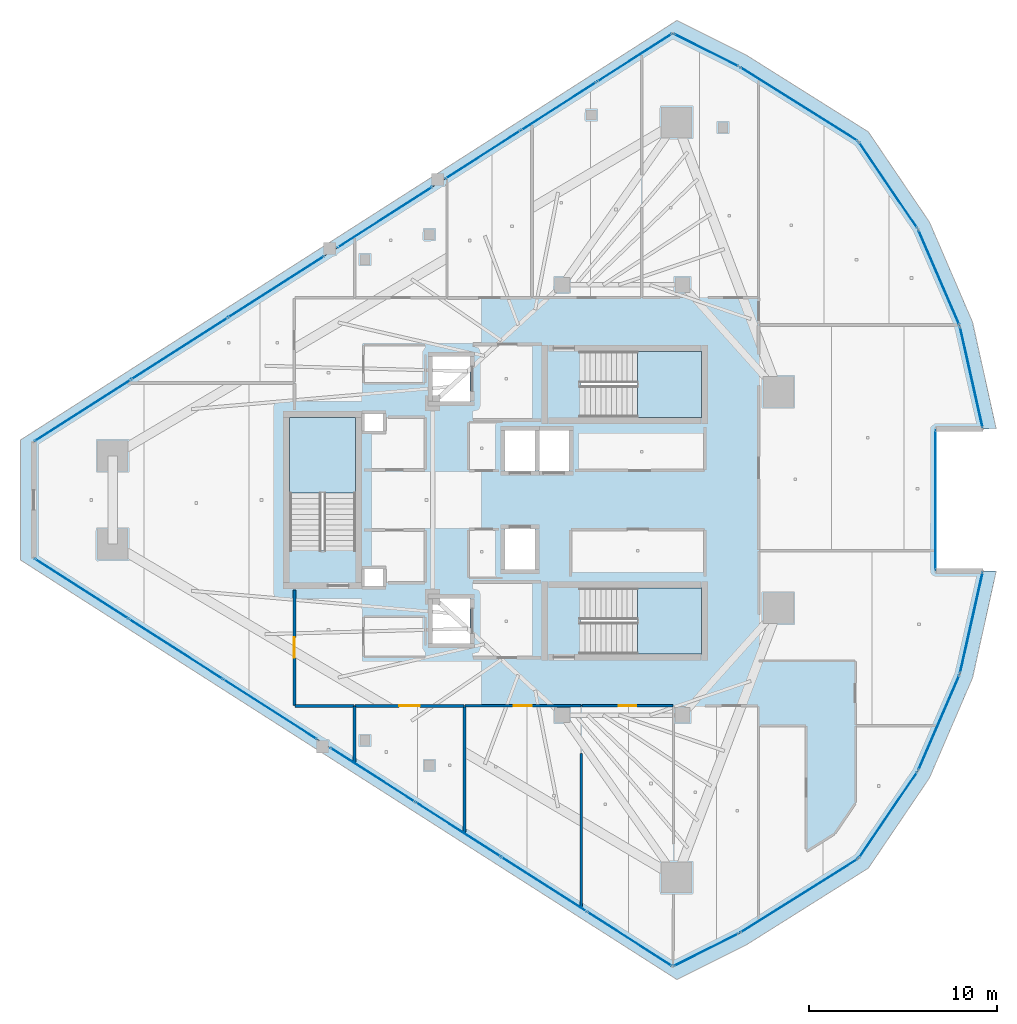
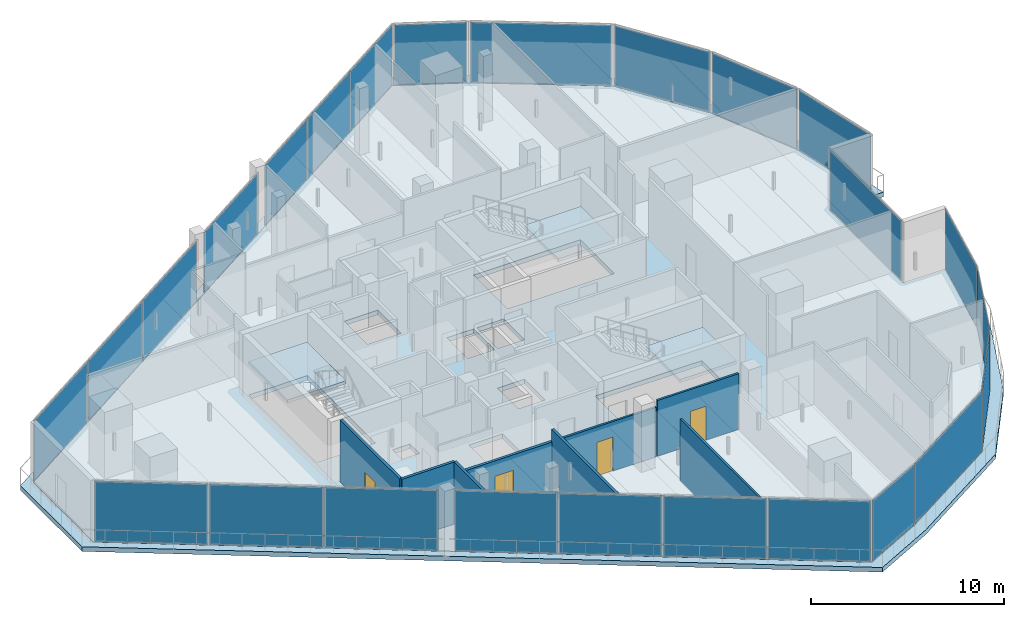
# One storey, part 22 of 33: 25 plates, 8 walls, 5 slabs, 4 doors, 4 openings, 19 elements without a shape of their own.
"""IFC4 building model written with IfcOpenShell, lengths in metres."""

import ifcopenshell
import ifcopenshell.guid

model = None  # the IFC model being written
_history = None  # IfcOwnerHistory: only IFC2X3 demands one
_inside = {}  # id of a spatial element -> (the spatial element, [elements in it])
_under = {}  # id of a project, library or spatial element -> (it, [spatial elements below it])
_declared = {}  # id of a project -> (the project, [libraries it declares])
_typed = {}  # id of a type object -> (the type object, [elements of that type])
_made_of = {}  # id of a material, layer set ... -> (it, [elements and type objects made of it])


def new_model(schema):
    """Start an empty IFC model of exactly this schema.

    Asked for "IFC4X3", IfcOpenShell would pick the latest addendum, in which some entities
    have other attributes; the version numbers below select the first issue.
    IFC2X3 requires an IfcOwnerHistory on every rooted entity: one is made here for all.
    """
    global model, _history
    if schema == "IFC4X3":
        model = ifcopenshell.file(schema_version=(4, 3, 0, 0))
    else:
        model = ifcopenshell.file(schema=schema)
    _inside.clear()
    _under.clear()
    _declared.clear()
    _typed.clear()
    _made_of.clear()
    _history = None
    if model.schema == "IFC2X3":
        org = make("IfcOrganization", Name="unknown")
        user = make(
            "IfcPersonAndOrganization",
            ThePerson=make("IfcPerson", FamilyName="unknown"),
            TheOrganization=org,
        )
        app = make(
            "IfcApplication",
            ApplicationDeveloper=org,
            Version="unknown",
            ApplicationFullName="unknown",
            ApplicationIdentifier="unknown",
        )
        _history = make(
            "IfcOwnerHistory",
            OwningUser=user,
            OwningApplication=app,
            ChangeAction="ADDED",
            CreationDate=0,
        )
    return model


def make(cls, **values):
    """One entity of the class cls with the attributes given. An attribute that is None is left unset."""
    return model.create_entity(
        cls, **{name: value for name, value in values.items() if value is not None}
    )


def rooted(cls, **values):
    """An entity with a GlobalId (a new one), such as an element, a storey or a relation."""
    return make(cls, GlobalId=ifcopenshell.guid.new(), OwnerHistory=_history, **values)


def si_unit(unit_type, name, prefix=None):
    """IfcSIUnit, for example si_unit("LENGTHUNIT", "METRE", prefix="MILLI")."""
    return make("IfcSIUnit", UnitType=unit_type, Prefix=prefix, Name=name)


def assignment(units):
    """IfcUnitAssignment: the units of a project."""
    return None if units is None else make("IfcUnitAssignment", Units=units)


def point(xyz):
    """IfcCartesianPoint."""
    return None if xyz is None else make("IfcCartesianPoint", Coordinates=xyz)


def direction(xyz):
    """IfcDirection."""
    return None if xyz is None else make("IfcDirection", DirectionRatios=xyz)


def frame(location, z_axis=None, x_axis=None):
    """IfcAxis2Placement3D, a coordinate frame: its origin and axes. An axis left out is left unset."""
    return make(
        "IfcAxis2Placement3D",
        Location=point(location),
        Axis=direction(z_axis),
        RefDirection=direction(x_axis),
    )


def frame_2d(location, x_axis=None):
    """IfcAxis2Placement2D, a coordinate frame in the plane: its origin and x axis."""
    return make(
        "IfcAxis2Placement2D", Location=point(location), RefDirection=direction(x_axis)
    )


def origin():
    """The frame at (0, 0, 0) with its axes left unset."""
    return frame((0.0, 0.0, 0.0))


def origin_2d():
    """The frame at (0, 0) in the plane with its x axis left unset."""
    return frame_2d((0.0, 0.0))


def place(relative_to, where):
    """IfcLocalPlacement: puts the frame where relative to a parent placement (None: the world)."""
    return make(
        "IfcLocalPlacement", PlacementRelTo=relative_to, RelativePlacement=where
    )


def context(
    kind, dimensions, precision=None, world=None, true_north=None, identifier=None
):
    """IfcGeometricRepresentationContext, for example the 3D "Model" context."""
    return make(
        "IfcGeometricRepresentationContext",
        ContextIdentifier=identifier,
        ContextType=kind,
        CoordinateSpaceDimension=dimensions,
        Precision=precision,
        WorldCoordinateSystem=world,
        TrueNorth=true_north,
    )


def subcontext(parent, identifier, kind, view, scale=None):
    """IfcGeometricRepresentationSubContext, for example "Body" below "Model"."""
    return make(
        "IfcGeometricRepresentationSubContext",
        ContextIdentifier=identifier,
        ContextType=kind,
        ParentContext=parent,
        TargetScale=scale,
        TargetView=view,
    )


def project(units=None, contexts=None):
    """IfcProject with its units and contexts."""
    return rooted(
        "IfcProject",
        Name="project",
        RepresentationContexts=contexts,
        UnitsInContext=assignment(units),
    )


def spatial(cls, under=None, at=None, **own):
    """A site, building, storey or space (cls), placed at a placement, below another one or the project."""
    s = rooted(cls, ObjectPlacement=at, **own)
    if under is not None:
        _under.setdefault(under.id(), (under, []))[1].append(s)
    return s


def polyline(points):
    """IfcPolyline through the points."""
    return make("IfcPolyline", Points=[point(p) for p in points])


def profile(cls, at=None, kind="AREA", **sizes):
    """A parametric profile (cls). Its sizes go by their IFC names, for example OverallWidth=200.0."""
    return make(cls, ProfileType=kind, Position=at, **sizes)


def rectangle(**sizes):
    """IfcRectangleProfileDef."""
    return profile("IfcRectangleProfileDef", **sizes)


def outline(outer, holes=None, kind="AREA"):
    """IfcArbitraryClosedProfileDef: a profile drawn as a closed curve; with holes, ...WithVoids."""
    if holes is None:
        return make("IfcArbitraryClosedProfileDef", ProfileType=kind, OuterCurve=outer)
    return make(
        "IfcArbitraryProfileDefWithVoids",
        ProfileType=kind,
        OuterCurve=outer,
        InnerCurves=holes,
    )


def extrude(swept, where, along, depth):
    """IfcExtrudedAreaSolid: the profile swept, set in the frame where, extruded along a direction by depth."""
    return make(
        "IfcExtrudedAreaSolid",
        SweptArea=swept,
        Position=where,
        ExtrudedDirection=direction(along),
        Depth=depth,
    )


def shape(context_of_items, identifier, shape_type, items):
    """IfcShapeRepresentation: the items that make up one representation, for example the "Body"."""
    return make(
        "IfcShapeRepresentation",
        ContextOfItems=context_of_items,
        RepresentationIdentifier=identifier,
        RepresentationType=shape_type,
        Items=items,
    )


def material(Name=None, Category=None):
    """IfcMaterial."""
    return make("IfcMaterial", Name=Name, Category=Category)


def layer(
    of_material, thickness, ventilated=None, Name=None, Category=None, Priority=None
):
    """IfcMaterialLayer: one layer of a wall or slab, of a material (None: an air gap)."""
    return make(
        "IfcMaterialLayer",
        Material=of_material,
        LayerThickness=thickness,
        IsVentilated=ventilated,
        Name=Name,
        Category=Category,
        Priority=Priority,
    )


def layer_set(layers, Name=None):
    """IfcMaterialLayerSet."""
    return make("IfcMaterialLayerSet", MaterialLayers=layers, LayerSetName=Name)


def made_of(thing, what):
    """Note that an element or type object is made of a material, layer set ...; save() writes the relation."""
    if what is not None:
        _made_of.setdefault(what.id(), (what, []))[1].append(thing)
    return thing


def type_object(cls, material=None, **own):
    """A type object (cls), such as IfcWallType, which elements share."""
    return made_of(rooted(cls, **own), material)


def element(
    cls,
    number,
    at=None,
    inside=None,
    cuts=None,
    type_object=None,
    material=None,
    context=None,
    identifier="Body",
    shape_type=None,
    held_by="IfcProductDefinitionShape",
    body=None,
    shapes=None,
    **own,
):
    """One element of the class cls, such as IfcWall. Its Tag is "e" and its number.

    at: its placement. inside: the storey or other place that contains it. cuts: it is an
    opening in that element (IfcRelVoidsElement). A single representation is given by context,
    identifier, shape_type and body (its items); several are given by shapes. held_by: the class
    of the entity that holds the representations. save() writes the other relations.
    """
    e = rooted(cls, Tag="e%d" % number, ObjectPlacement=at, **own)
    if body is not None:
        shapes = [shape(context, identifier, shape_type, body)]
    if shapes is not None:
        e.Representation = make(held_by, Representations=shapes)
    if inside is not None:
        _inside.setdefault(inside.id(), (inside, []))[1].append(e)
    if cuts is not None:
        rooted(
            "IfcRelVoidsElement", RelatingBuildingElement=cuts, RelatedOpeningElement=e
        )
    if type_object is not None:
        _typed.setdefault(type_object.id(), (type_object, []))[1].append(e)
    return made_of(e, material)


def fill(opening, filler):
    """IfcRelFillsElement: the door or window that sits in an opening."""
    return rooted(
        "IfcRelFillsElement",
        RelatingOpeningElement=opening,
        RelatedBuildingElement=filler,
    )


def aggregate(whole, parts):
    """IfcRelAggregates: a whole, such as a stair, and the parts it consists of."""
    return rooted("IfcRelAggregates", RelatingObject=whole, RelatedObjects=parts)


def save(model, path):
    """Write the relations noted so far, then the file.

    IfcRelAggregates (storeys below a building ...), IfcRelContainedInSpatialStructure (elements
    in a storey), IfcRelDefinesByType, IfcRelAssociatesMaterial and IfcRelDeclares: one each for
    every whole, place, type object, material and project.
    """
    for whole, parts in _under.values():
        aggregate(whole, parts)
    for where, things in _inside.values():
        rooted(
            "IfcRelContainedInSpatialStructure",
            RelatedElements=things,
            RelatingStructure=where,
        )
    for kind, things in _typed.values():
        rooted("IfcRelDefinesByType", RelatedObjects=things, RelatingType=kind)
    for what, things in _made_of.values():
        rooted("IfcRelAssociatesMaterial", RelatedObjects=things, RelatingMaterial=what)
    for by, libraries in _declared.values():
        rooted("IfcRelDeclares", RelatingContext=by, RelatedDefinitions=libraries)
    model.write(path)


model = new_model("IFC4")

# Units and contexts
model_context = context("Model", 3, precision=1e-05, world=origin(), true_north=direction((0.0, 1.0)))
body_context = subcontext(model_context, "Body", "Model", "MODEL_VIEW")
ifc_project = project(units=[si_unit("LENGTHUNIT", "METRE"), si_unit("AREAUNIT", "SQUARE_METRE"), si_unit("VOLUMEUNIT", "CUBIC_METRE"), si_unit("PLANEANGLEUNIT", "RADIAN"), si_unit("MASSUNIT", "GRAM", prefix="KILO")], contexts=[model_context])

# Site, building, storey
site_placement = place(None, origin())
site = spatial("IfcSite", under=ifc_project, at=site_placement, CompositionType="ELEMENT")
building_placement = place(site_placement, origin())
building = spatial("IfcBuilding", under=site, at=building_placement, Name="Qorvath Tower", CompositionType="ELEMENT")
storey_placement = place(building_placement, frame((0.0, 0.0, 280.800048828125)))
storey = spatial("IfcBuildingStorey", under=building, at=storey_placement, Name="L65", CompositionType="ELEMENT", Elevation=280.800048828125)

# Curtain wall, plates
ifc_material_1 = material(Name="Anodised aluminium and triple low-E glass", Category="aluminium")
ifc_layer_1 = layer(ifc_material_1, 0.179931640625)
ifc_layer_set_1 = layer_set([ifc_layer_1], Name="CW-SYS-4")
curtain_wall_type = type_object("IfcCurtainWallType", Name="CW-SYS-4", PredefinedType="NOTDEFINED", material=ifc_layer_set_1)
curtain_wall_1_placement = place(storey_placement, origin())
curtain_wall_1 = element("IfcCurtainWall", 1, at=curtain_wall_1_placement, inside=storey, type_object=curtain_wall_type, Name="Curtain Wall CW-4 CW-T-L65-2.1", PredefinedType="NOTDEFINED")
ifc_material_2 = material(Name="Acoustic laminated low-E glass", Category="glass")
ifc_layer_2 = layer(ifc_material_2, 0.0380859375)
ifc_layer_set_2 = layer_set([ifc_layer_2], Name="CWP-GLZ-38")
plate_type = type_object("IfcPlateType", Name="CWP-GLZ-38", PredefinedType="CURTAIN_PANEL", material=ifc_layer_set_2)
plate_1_placement = place(storey_placement, frame((-49.18994140625, -4.724853515625, 0.06494140625), z_axis=(0.0, 0.0, 1.0), x_axis=(0.842605831894, -0.53853079026, 0.0)))
plate_1 = element("IfcPlate", 2, at=plate_1_placement, type_object=plate_type, Name="CW-4 panel 1.1", PredefinedType="CURTAIN_PANEL", context=body_context, shape_type="SweptSolid", body=[
    extrude(rectangle(XDim=5.8671875, YDim=0.0380859375, at=origin_2d()), origin(), (0.0, 0.0, 1.0), 3.780029296875),
])
plate_2_placement = place(storey_placement, frame((-44.167236328125, -7.93505859375, 0.06494140625), z_axis=(0.0, 0.0, 1.0), x_axis=(0.842605831894, -0.53853079026, 0.0)))
plate_2 = element("IfcPlate", 3, at=plate_2_placement, type_object=plate_type, Name="CW-4 panel 2.1", PredefinedType="CURTAIN_PANEL", context=body_context, shape_type="SweptSolid", body=[
    extrude(rectangle(XDim=5.90478515625, YDim=0.0380859375, at=origin_2d()), origin(), (0.0, 0.0, 1.0), 3.780029296875),
])
plate_3_placement = place(storey_placement, frame((-39.14453125, -11.145263671875, 0.06494140625), z_axis=(0.0, 0.0, 1.0), x_axis=(0.842605831894, -0.53853079026, 0.0)))
plate_3 = element("IfcPlate", 4, at=plate_3_placement, type_object=plate_type, Name="CW-4 panel 3.1", PredefinedType="CURTAIN_PANEL", context=body_context, shape_type="SweptSolid", body=[
    extrude(rectangle(XDim=5.8671875, YDim=0.0380859375, at=origin_2d()), origin(), (0.0, 0.0, 1.0), 3.780029296875),
])
aggregate(curtain_wall_1, [plate_1, plate_2, plate_3])

curtain_wall_2_placement = place(storey_placement, origin())
curtain_wall_2 = element("IfcCurtainWall", 5, at=curtain_wall_2_placement, inside=storey, type_object=curtain_wall_type, Name="Curtain Wall CW-4 CW-T-L65-2.2", PredefinedType="NOTDEFINED")
plate_4_placement = place(storey_placement, frame((-33.694580078125, -14.62841796875, 0.06494140625), z_axis=(0.0, 0.0, 1.0), x_axis=(0.842601933204, -0.53853689025, 0.0)))
plate_4 = element("IfcPlate", 6, at=plate_4_placement, type_object=plate_type, Name="CW-4 panel 1.1", PredefinedType="CURTAIN_PANEL", context=body_context, shape_type="SweptSolid", body=[
    extrude(rectangle(XDim=5.309326171875, YDim=0.0380859375, at=origin_2d()), origin(), (0.0, 0.0, 1.0), 3.780029296875),
])
plate_5_placement = place(storey_placement, frame((-29.141845703125, -17.538330078125, 0.06494140625), z_axis=(0.0, 0.0, 1.0), x_axis=(0.842601933204, -0.53853689025, 0.0)))
plate_5 = element("IfcPlate", 7, at=plate_5_placement, type_object=plate_type, Name="CW-4 panel 2.1", PredefinedType="CURTAIN_PANEL", context=body_context, shape_type="SweptSolid", body=[
    extrude(rectangle(XDim=5.346923828125, YDim=0.0380859375, at=origin_2d()), origin(), (0.0, 0.0, 1.0), 3.780029296875),
])
plate_6_placement = place(storey_placement, frame((-24.573486328125, -20.4580078125, 0.06494140625), z_axis=(0.0, 0.0, 1.0), x_axis=(0.842601933204, -0.53853689025, 0.0)))
plate_6 = element("IfcPlate", 8, at=plate_6_placement, type_object=plate_type, Name="CW-4 panel 3.1", PredefinedType="CURTAIN_PANEL", context=body_context, shape_type="SweptSolid", body=[
    extrude(rectangle(XDim=5.346923828125, YDim=0.0380859375, at=origin_2d()), origin(), (0.0, 0.0, 1.0), 3.780029296875),
])
plate_7_placement = place(storey_placement, frame((-20.020751953125, -23.367919921875, 0.06494140625), z_axis=(0.0, 0.0, 1.0), x_axis=(0.842601933204, -0.53853689025, 0.0)))
plate_7 = element("IfcPlate", 9, at=plate_7_placement, type_object=plate_type, Name="CW-4 panel 4.1", PredefinedType="CURTAIN_PANEL", context=body_context, shape_type="SweptSolid", body=[
    extrude(rectangle(XDim=5.309326171875, YDim=0.0380859375, at=origin_2d()), origin(), (0.0, 0.0, 1.0), 3.780029296875),
])
aggregate(curtain_wall_2, [plate_4, plate_5, plate_6, plate_7])

# Curtain wall, plate
curtain_wall_3_placement = place(storey_placement, origin())
curtain_wall_3 = element("IfcCurtainWall", 10, at=curtain_wall_3_placement, inside=storey, type_object=curtain_wall_type, Name="Curtain Wall CW-4 CW-T-L65-3.1", PredefinedType="NOTDEFINED")
plate_8_placement = place(storey_placement, frame((-15.946533203125, -23.95068359375, 0.06494140625), z_axis=(0.0, 0.0, 1.0), x_axis=(0.894422149531, 0.447223678296, 0.0)))
plate_8 = element("IfcPlate", 11, at=plate_8_placement, type_object=plate_type, Name="CW-4 panel 1.1", PredefinedType="CURTAIN_PANEL", context=body_context, shape_type="SweptSolid", body=[
    extrude(rectangle(XDim=3.817138671875, YDim=0.0380859375, at=origin_2d()), origin(), (0.0, 0.0, 1.0), 3.780029296875),
])
aggregate(curtain_wall_3, [plate_8])

curtain_wall_4_placement = place(storey_placement, origin())
curtain_wall_4 = element("IfcCurtainWall", 12, at=curtain_wall_4_placement, inside=storey, type_object=curtain_wall_type, Name="Curtain Wall CW-4 CW-T-L65-4.1", PredefinedType="NOTDEFINED")
plate_9_placement = place(storey_placement, frame((-11.001953125, -21.074462890625, 0.06494140625), z_axis=(0.0, 0.0, 1.0), x_axis=(0.847070144541, 0.531481109944, 0.0)))
plate_9 = element("IfcPlate", 13, at=plate_9_placement, type_object=plate_type, Name="CW-4 panel 1.1", PredefinedType="CURTAIN_PANEL", context=body_context, shape_type="SweptSolid", body=[
    extrude(rectangle(XDim=7.335693359375, YDim=0.0380859375, at=origin_2d()), origin(), (0.0, 0.0, 1.0), 3.780029296875),
])
aggregate(curtain_wall_4, [plate_9])

curtain_wall_5_placement = place(storey_placement, origin())
curtain_wall_5 = element("IfcCurtainWall", 14, at=curtain_wall_5_placement, inside=storey, type_object=curtain_wall_type, Name="Curtain Wall CW-4 CW-T-L65-5.1", PredefinedType="NOTDEFINED")
plate_10_placement = place(storey_placement, frame((-6.251953125, -16.760009765625, 0.06494140625), z_axis=(0.0, 0.0, 1.0), x_axis=(0.561899800655, 0.827205303431, 0.0)))
plate_10 = element("IfcPlate", 15, at=plate_10_placement, type_object=plate_type, Name="CW-4 panel 1.1", PredefinedType="CURTAIN_PANEL", context=body_context, shape_type="SweptSolid", body=[
    extrude(rectangle(XDim=5.471923828125, YDim=0.0380859375, at=origin_2d()), origin(), (0.0, 0.0, 1.0), 3.780029296875),
])
aggregate(curtain_wall_5, [plate_10])

curtain_wall_6_placement = place(storey_placement, origin())
curtain_wall_6 = element("IfcCurtainWall", 16, at=curtain_wall_6_placement, inside=storey, type_object=curtain_wall_type, Name="Curtain Wall CW-4 CW-T-L65-6.1", PredefinedType="NOTDEFINED")
plate_11_placement = place(storey_placement, frame((-3.555419921875, -11.85546875, 0.06494140625), z_axis=(0.0, 0.0, 1.0), x_axis=(0.397482138535, 0.917609911425, 0.0)))
plate_11 = element("IfcPlate", 17, at=plate_11_placement, type_object=plate_type, Name="CW-4 panel 1.1", PredefinedType="CURTAIN_PANEL", context=body_context, shape_type="SweptSolid", body=[
    extrude(rectangle(XDim=5.471923828125, YDim=0.0380859375, at=origin_2d()), origin(), (0.0, 0.0, 1.0), 3.780029296875),
])
aggregate(curtain_wall_6, [plate_11])

curtain_wall_7_placement = place(storey_placement, origin())
curtain_wall_7 = element("IfcCurtainWall", 18, at=curtain_wall_7_placement, inside=storey, type_object=curtain_wall_type, Name="Curtain Wall CW-4 CW-T-L65-7.1", PredefinedType="NOTDEFINED")
plate_12_placement = place(storey_placement, frame((-1.822509765625, -6.533447265625, 0.06494140625), z_axis=(0.0, 0.0, 1.0), x_axis=(0.2190055099, 0.975723622054, 0.0)))
plate_12 = element("IfcPlate", 19, at=plate_12_placement, type_object=plate_type, Name="CW-4 panel 1.1", PredefinedType="CURTAIN_PANEL", context=body_context, shape_type="SweptSolid", body=[
    extrude(rectangle(XDim=5.4716796875, YDim=0.0380859375, at=origin_2d()), origin(), (0.0, 0.0, 1.0), 3.780029296875),
])
aggregate(curtain_wall_7, [plate_12])

curtain_wall_8_placement = place(storey_placement, origin())
curtain_wall_8 = element("IfcCurtainWall", 20, at=curtain_wall_8_placement, inside=storey, type_object=curtain_wall_type, Name="Curtain Wall CW-4 CW-T-L65-9.1", PredefinedType="NOTDEFINED")
plate_13_placement = place(storey_placement, frame((-3.73388671875, 0.0, 0.06494140625), z_axis=(0.0, 0.0, 1.0), x_axis=(0.0, 1.0, 0.0)))
plate_13 = element("IfcPlate", 21, at=plate_13_placement, type_object=plate_type, Name="CW-4 panel 1.1", PredefinedType="CURTAIN_PANEL", context=body_context, shape_type="SweptSolid", body=[
    extrude(rectangle(XDim=7.431640625, YDim=0.0380859375, at=origin_2d()), origin(), (0.0, 0.0, 1.0), 3.780029296875),
])
aggregate(curtain_wall_8, [plate_13])

curtain_wall_9_placement = place(storey_placement, origin())
curtain_wall_9 = element("IfcCurtainWall", 22, at=curtain_wall_9_placement, inside=storey, type_object=curtain_wall_type, Name="Curtain Wall CW-4 CW-T-L65-11.1", PredefinedType="NOTDEFINED")
plate_14_placement = place(storey_placement, frame((-1.822509765625, 6.533447265625, 0.06494140625), z_axis=(0.0, 0.0, 1.0), x_axis=(-0.2190055099, 0.975723622054, 0.0)))
plate_14 = element("IfcPlate", 23, at=plate_14_placement, type_object=plate_type, Name="CW-4 panel 1.1", PredefinedType="CURTAIN_PANEL", context=body_context, shape_type="SweptSolid", body=[
    extrude(rectangle(XDim=5.4716796875, YDim=0.0380859375, at=origin_2d()), origin(), (0.0, 0.0, 1.0), 3.780029296875),
])
aggregate(curtain_wall_9, [plate_14])

curtain_wall_10_placement = place(storey_placement, origin())
curtain_wall_10 = element("IfcCurtainWall", 24, at=curtain_wall_10_placement, inside=storey, type_object=curtain_wall_type, Name="Curtain Wall CW-4 CW-T-L65-12.1", PredefinedType="NOTDEFINED")
plate_15_placement = place(storey_placement, frame((-3.555419921875, 11.85546875, 0.06494140625), z_axis=(0.0, 0.0, 1.0), x_axis=(-0.397482138535, 0.917609911425, 0.0)))
plate_15 = element("IfcPlate", 25, at=plate_15_placement, type_object=plate_type, Name="CW-4 panel 1.1", PredefinedType="CURTAIN_PANEL", context=body_context, shape_type="SweptSolid", body=[
    extrude(rectangle(XDim=5.471923828125, YDim=0.0380859375, at=origin_2d()), origin(), (0.0, 0.0, 1.0), 3.780029296875),
])
aggregate(curtain_wall_10, [plate_15])

curtain_wall_11_placement = place(storey_placement, origin())
curtain_wall_11 = element("IfcCurtainWall", 26, at=curtain_wall_11_placement, inside=storey, type_object=curtain_wall_type, Name="Curtain Wall CW-4 CW-T-L65-13.1", PredefinedType="NOTDEFINED")
plate_16_placement = place(storey_placement, frame((-6.251953125, 16.760009765625, 0.06494140625), z_axis=(0.0, 0.0, 1.0), x_axis=(-0.561899800655, 0.827205303431, 0.0)))
plate_16 = element("IfcPlate", 27, at=plate_16_placement, type_object=plate_type, Name="CW-4 panel 1.1", PredefinedType="CURTAIN_PANEL", context=body_context, shape_type="SweptSolid", body=[
    extrude(rectangle(XDim=5.471923828125, YDim=0.0380859375, at=origin_2d()), origin(), (0.0, 0.0, 1.0), 3.780029296875),
])
aggregate(curtain_wall_11, [plate_16])

curtain_wall_12_placement = place(storey_placement, origin())
curtain_wall_12 = element("IfcCurtainWall", 28, at=curtain_wall_12_placement, inside=storey, type_object=curtain_wall_type, Name="Curtain Wall CW-4 CW-T-L65-14.1", PredefinedType="NOTDEFINED")
plate_17_placement = place(storey_placement, frame((-11.001953125, 21.074462890625, 0.06494140625), z_axis=(0.0, 0.0, 1.0), x_axis=(-0.847070144541, 0.531481109944, 0.0)))
plate_17 = element("IfcPlate", 29, at=plate_17_placement, type_object=plate_type, Name="CW-4 panel 1.1", PredefinedType="CURTAIN_PANEL", context=body_context, shape_type="SweptSolid", body=[
    extrude(rectangle(XDim=7.335693359375, YDim=0.0380859375, at=origin_2d()), origin(), (0.0, 0.0, 1.0), 3.780029296875),
])
aggregate(curtain_wall_12, [plate_17])

curtain_wall_13_placement = place(storey_placement, origin())
curtain_wall_13 = element("IfcCurtainWall", 30, at=curtain_wall_13_placement, inside=storey, type_object=curtain_wall_type, Name="Curtain Wall CW-4 CW-T-L65-15.1", PredefinedType="NOTDEFINED")
plate_18_placement = place(storey_placement, frame((-15.946533203125, 23.95068359375, 0.06494140625), z_axis=(0.0, 0.0, 1.0), x_axis=(-0.894422149531, 0.447223678296, 0.0)))
plate_18 = element("IfcPlate", 31, at=plate_18_placement, type_object=plate_type, Name="CW-4 panel 1.1", PredefinedType="CURTAIN_PANEL", context=body_context, shape_type="SweptSolid", body=[
    extrude(rectangle(XDim=3.817138671875, YDim=0.0380859375, at=origin_2d()), origin(), (0.0, 0.0, 1.0), 3.780029296875),
])
aggregate(curtain_wall_13, [plate_18])

# Curtain wall, plates
curtain_wall_14_placement = place(storey_placement, origin())
curtain_wall_14 = element("IfcCurtainWall", 32, at=curtain_wall_14_placement, inside=storey, type_object=curtain_wall_type, Name="Curtain Wall CW-4 CW-T-L65-16.1", PredefinedType="NOTDEFINED")
plate_19_placement = place(storey_placement, frame((-19.7587890625, 23.53515625, 0.06494140625), z_axis=(0.0, 0.0, 1.0), x_axis=(-0.84260392096, -0.538533780169, 0.0)))
plate_19 = element("IfcPlate", 33, at=plate_19_placement, type_object=plate_type, Name="CW-4 panel 1.1", PredefinedType="CURTAIN_PANEL", context=body_context, shape_type="SweptSolid", body=[
    extrude(rectangle(XDim=4.687744140625, YDim=0.0380859375, at=origin_2d()), origin(), (0.0, 0.0, 1.0), 3.780029296875),
])
plate_20_placement = place(storey_placement, frame((-23.787841796875, 20.960205078125, 0.06494140625), z_axis=(0.0, 0.0, 1.0), x_axis=(-0.84260392096, -0.538533780169, 0.0)))
plate_20 = element("IfcPlate", 34, at=plate_20_placement, type_object=plate_type, Name="CW-4 panel 2.1", PredefinedType="CURTAIN_PANEL", context=body_context, shape_type="SweptSolid", body=[
    extrude(rectangle(XDim=4.725341796875, YDim=0.0380859375, at=origin_2d()), origin(), (0.0, 0.0, 1.0), 3.780029296875),
])
plate_21_placement = place(storey_placement, frame((-27.81689453125, 18.38525390625, 0.06494140625), z_axis=(0.0, 0.0, 1.0), x_axis=(-0.84260392096, -0.538533780169, 0.0)))
plate_21 = element("IfcPlate", 35, at=plate_21_placement, type_object=plate_type, Name="CW-4 panel 3.1", PredefinedType="CURTAIN_PANEL", context=body_context, shape_type="SweptSolid", body=[
    extrude(rectangle(XDim=4.687744140625, YDim=0.0380859375, at=origin_2d()), origin(), (0.0, 0.0, 1.0), 3.780029296875),
])
aggregate(curtain_wall_14, [plate_19, plate_20, plate_21])

# Curtain wall, plate
curtain_wall_15_placement = place(storey_placement, origin())
curtain_wall_15 = element("IfcCurtainWall", 36, at=curtain_wall_15_placement, inside=storey, type_object=curtain_wall_type, Name="Curtain Wall CW-4 CW-T-L65-16.2", PredefinedType="NOTDEFINED")
plate_22_placement = place(storey_placement, frame((-33.0400390625, 15.046630859375, 0.06494140625), z_axis=(0.0, 0.0, 1.0), x_axis=(-0.842589452796, -0.538556416763, 0.0)))
plate_22 = element("IfcPlate", 37, at=plate_22_placement, type_object=plate_type, Name="CW-4 panel 1.1", PredefinedType="CURTAIN_PANEL", context=body_context, shape_type="SweptSolid", body=[
    extrude(rectangle(XDim=5.951416015625, YDim=0.0380859375, at=origin_2d()), origin(), (0.0, 0.0, 1.0), 3.780029296875),
])
aggregate(curtain_wall_15, [plate_22])

# Curtain wall, plates
curtain_wall_16_placement = place(storey_placement, origin())
curtain_wall_16 = element("IfcCurtainWall", 38, at=curtain_wall_16_placement, inside=storey, type_object=curtain_wall_type, Name="Curtain Wall CW-4 CW-T-L65-16.3", PredefinedType="NOTDEFINED")
plate_23_placement = place(storey_placement, frame((-38.82470703125, 11.349853515625, 0.06494140625), z_axis=(0.0, 0.0, 1.0), x_axis=(-0.842601494043, -0.538537577367, 0.0)))
plate_23 = element("IfcPlate", 39, at=plate_23_placement, type_object=plate_type, Name="CW-4 panel 1.1", PredefinedType="CURTAIN_PANEL", context=body_context, shape_type="SweptSolid", body=[
    extrude(rectangle(XDim=6.01904296875, YDim=0.0380859375, at=origin_2d()), origin(), (0.0, 0.0, 1.0), 3.780029296875),
])
plate_24_placement = place(storey_placement, frame((-43.975341796875, 8.057861328125, 0.06494140625), z_axis=(0.0, 0.0, 1.0), x_axis=(-0.842601494043, -0.538537577367, 0.0)))
plate_24 = element("IfcPlate", 40, at=plate_24_placement, type_object=plate_type, Name="CW-4 panel 2.1", PredefinedType="CURTAIN_PANEL", context=body_context, shape_type="SweptSolid", body=[
    extrude(rectangle(XDim=6.056640625, YDim=0.0380859375, at=origin_2d()), origin(), (0.0, 0.0, 1.0), 3.780029296875),
])
plate_25_placement = place(storey_placement, frame((-49.1259765625, 4.765869140625, 0.06494140625), z_axis=(0.0, 0.0, 1.0), x_axis=(-0.842601494043, -0.538537577367, 0.0)))
plate_25 = element("IfcPlate", 41, at=plate_25_placement, type_object=plate_type, Name="CW-4 panel 3.1", PredefinedType="CURTAIN_PANEL", context=body_context, shape_type="SweptSolid", body=[
    extrude(rectangle(XDim=6.01904296875, YDim=0.0380859375, at=origin_2d()), origin(), (0.0, 0.0, 1.0), 3.780029296875),
])
aggregate(curtain_wall_16, [plate_23, plate_24, plate_25])

# Slab
ifc_material_3 = material(Name="Concrete C50/60", Category="concrete")
ifc_layer_3 = layer(ifc_material_3, 0.2900390625)
ifc_layer_set_3 = layer_set([ifc_layer_3], Name="SL-EXEC-290")
slab_type_1 = type_object("IfcSlabType", Name="SL-EXEC-290", PredefinedType="FLOOR", material=ifc_layer_set_3)
slab_1_placement = place(storey_placement, frame((0.0, 0.0, -0.2900390625)))
element("IfcSlab", 42, at=slab_1_placement, inside=storey, type_object=slab_type_1, Name="Tower L65 Interior Floor Slab", PredefinedType="FLOOR", context=body_context, shape_type="SweptSolid", body=[
    extrude(outline(polyline([(-51.72509765625, 3.104736328125), (-51.72509765625, -3.104736328125), (-17.720703125, -24.837890625), (-14.17236328125, -23.063720703125), (-7.83154296875, -19.085205078125), (-4.672607421875, -14.434814453125), (-2.43798828125, -9.276123046875), (-1.206787109375, -3.790771484375), (-3.73388671875, -3.790771484375), (-3.73388671875, 3.790771484375), (-1.206787109375, 3.790771484375), (-2.43798828125, 9.276123046875), (-4.672607421875, 14.434814453125), (-7.83154296875, 19.085205078125), (-14.17236328125, 23.063720703125), (-17.720703125, 24.837890625), (-51.72509765625, 3.104736328125)]), holes=[polyline([(-16.2451171875, -8.199951171875), (-22.625, -8.199951171875), (-22.625, -4.68994140625), (-16.2451171875, -4.68994140625), (-16.2451171875, -8.199951171875)]), polyline([(-22.625, 4.39990234375), (-22.625, 7.909912109375), (-16.2451171875, 7.909912109375), (-16.2451171875, 4.39990234375), (-22.625, 4.39990234375)]), polyline([(-23.25, 1.550048828125), (-24.85009765625, 1.550048828125), (-24.85009765625, 3.699951171875), (-23.25, 3.699951171875), (-23.25, 1.550048828125)]), polyline([(-26.64990234375, -3.699951171875), (-26.64990234375, -1.550048828125), (-25.050048828125, -1.550048828125), (-25.050048828125, -3.699951171875), (-26.64990234375, -3.699951171875)]), polyline([(-25.050048828125, 1.550048828125), (-26.64990234375, 1.550048828125), (-26.64990234375, 3.699951171875), (-25.050048828125, 3.699951171875), (-25.050048828125, 1.550048828125)]), polyline([(-28.5, -7.64990234375), (-30.5, -7.64990234375), (-30.5, -5.25), (-28.5, -5.25), (-28.5, -7.64990234375)]), polyline([(-30.5, 5.25), (-30.5, 7.64990234375), (-28.5, 7.64990234375), (-28.5, 5.25), (-30.5, 5.25)]), polyline([(-33.10009765625, -4.6201171875), (-34.14990234375, -4.6201171875), (-34.14990234375, -3.64990234375), (-33.10009765625, -3.64990234375), (-33.10009765625, -4.6201171875)]), polyline([(-33.10009765625, 3.64990234375), (-34.14990234375, 3.64990234375), (-34.14990234375, 4.6201171875), (-33.10009765625, 4.6201171875), (-33.10009765625, 3.64990234375)]), polyline([(-34.60009765625, -2.675048828125), (-38.110107421875, -2.675048828125), (-38.110107421875, 4.35498046875), (-34.60009765625, 4.35498046875), (-34.60009765625, -2.675048828125)])]), origin(), (0.0, 0.0, 1.0), 0.2900390625),
])

# Stair, slab
ifc_material_4 = material(Name="Concrete C50/60", Category="concrete")
stair_type = type_object("IfcStairType", Name="ST-H420", PredefinedType="HALF_TURN_STAIR", material=ifc_material_4)
stair_1_placement = place(storey_placement, origin())
stair_1 = element("IfcStair", 43, at=stair_1_placement, inside=storey, type_object=stair_type, Name="L65 Tower Exit Stair 1", PredefinedType="HALF_TURN_STAIR")
ifc_material_5 = material(Name="Concrete C50/60", Category="concrete")
ifc_layer_4 = layer(ifc_material_5, 0.199951171875)
ifc_layer_set_4 = layer_set([ifc_layer_4], Name="SL-LND-200")
slab_type_2 = type_object("IfcSlabType", Name="SL-LND-200", PredefinedType="LANDING", material=ifc_layer_set_4)
slab_2_placement = place(storey_placement, frame((0.0, 0.0, 1.89990234375)))
slab_2 = element("IfcSlab", 44, at=slab_2_placement, type_object=slab_type_2, Name="TS1 landing 1", PredefinedType="LANDING", context=body_context, shape_type="SweptSolid", body=[
    extrude(outline(polyline([(-19.590087890625, 4.39990234375), (-16.199951171875, 4.39990234375), (-16.199951171875, 7.909912109375), (-19.590087890625, 7.909912109375), (-19.590087890625, 4.39990234375)])), origin(), (0.0, 0.0, 1.0), 0.199951171875),
])
aggregate(stair_1, [slab_2])

stair_2_placement = place(storey_placement, origin())
stair_2 = element("IfcStair", 45, at=stair_2_placement, inside=storey, type_object=stair_type, Name="L65 Tower Exit Stair 2", PredefinedType="HALF_TURN_STAIR")
slab_3_placement = place(storey_placement, frame((0.0, 0.0, 1.89990234375)))
slab_3 = element("IfcSlab", 46, at=slab_3_placement, type_object=slab_type_2, Name="TS2 landing 1", PredefinedType="LANDING", context=body_context, shape_type="SweptSolid", body=[
    extrude(outline(polyline([(-19.590087890625, -8.199951171875), (-16.199951171875, -8.199951171875), (-16.199951171875, -4.68994140625), (-19.590087890625, -4.68994140625), (-19.590087890625, -8.199951171875)])), origin(), (0.0, 0.0, 1.0), 0.199951171875),
])
aggregate(stair_2, [slab_3])

stair_3_placement = place(storey_placement, origin())
stair_3 = element("IfcStair", 47, at=stair_3_placement, inside=storey, type_object=stair_type, Name="L65 Tower Exit Stair 3", PredefinedType="HALF_TURN_STAIR")
slab_4_placement = place(storey_placement, frame((0.0, 0.0, 1.89990234375)))
slab_4 = element("IfcSlab", 48, at=slab_4_placement, type_object=slab_type_2, Name="TS3 landing 1", PredefinedType="LANDING", context=body_context, shape_type="SweptSolid", body=[
    extrude(outline(polyline([(-34.60009765625, 0.360107421875), (-34.60009765625, 4.39990234375), (-38.110107421875, 4.39990234375), (-38.110107421875, 0.360107421875), (-34.60009765625, 0.360107421875)])), origin(), (0.0, 0.0, 1.0), 0.199951171875),
])
aggregate(stair_3, [slab_4])

# Slab
ifc_material_6 = material(Name="Precast concrete C45/55", Category="concrete")
ifc_layer_5 = layer(ifc_material_6, 0.2900390625)
ifc_layer_set_5 = layer_set([ifc_layer_5], Name="SL-LOG-290")
slab_type_3 = type_object("IfcSlabType", Name="SL-LOG-290", PredefinedType="FLOOR", material=ifc_layer_set_5)
slab_5_placement = place(storey_placement, frame((0.0, 0.0, -0.2900390625)))
element("IfcSlab", 49, at=slab_5_placement, inside=storey, type_object=slab_type_3, Name="Tower L65 Perimeter Loggia and Terrace Slab", PredefinedType="FLOOR", context=body_context, shape_type="SweptSolid", body=[
    extrude(outline(polyline([(-1.206787109375, -3.790771484375), (-2.43798828125, -9.276123046875), (-4.672607421875, -14.434814453125), (-7.83154296875, -19.085205078125), (-14.17236328125, -23.063720703125), (-17.720703125, -24.837890625), (-51.72509765625, -3.104736328125), (-51.72509765625, 3.104736328125), (-17.720703125, 24.837890625), (-14.17236328125, 23.063720703125), (-7.83154296875, 19.085205078125), (-4.672607421875, 14.434814453125), (-2.43798828125, 9.276123046875), (-1.206787109375, 3.790771484375), (-0.5029296875, 3.790771484375), (-1.757080078125, 9.45849609375), (-4.052978515625, 14.790283203125), (-7.30859375, 19.596435546875), (-13.843017578125, 23.7060546875), (-17.489990234375, 25.52978515625), (-52.44140625, 3.191162109375), (-52.44140625, -3.191162109375), (-17.489990234375, -25.52978515625), (-13.843017578125, -23.7060546875), (-7.30859375, -19.596435546875), (-4.052978515625, -14.790283203125), (-1.757080078125, -9.45849609375), (-0.5029296875, -3.790771484375), (-1.206787109375, -3.790771484375)])), origin(), (0.0, 0.0, 1.0), 0.2900390625),
])

# Wall, opening, door
ifc_material_7 = material(Name="Double acoustic gypsum board on steel studs", Category="steel")
ifc_layer_6 = layer(ifc_material_7, 0.159912109375)
ifc_layer_set_6 = layer_set([ifc_layer_6], Name="IW-ACOUSTIC-160")
wall_type_1 = type_object("IfcWallType", Name="IW-ACOUSTIC-160", PredefinedType="PARTITIONING", material=ifc_layer_set_6)
wall_1_placement = place(storey_placement, frame((-28.8359375, -10.9580078125, 0.0), z_axis=(0.0, 0.0, 1.0), x_axis=(-1.0, 0.0, 0.0)))
wall_1 = element("IfcWall", 50, at=wall_1_placement, inside=storey, type_object=wall_type_1, Name="Interior Partition IW-T1-L65-041", PredefinedType="PARTITIONING", context=body_context, shape_type="SweptSolid", body=[
    extrude(rectangle(XDim=5.7890625, YDim=0.159912109375, at=frame_2d((2.89453125, 0.0))), origin(), (0.0, 0.0, 1.0), 3.1298828125),
])
opening_1_placement = place(wall_1_placement, frame((2.344482421875, 0.0, 0.0)))
opening_1 = element("IfcOpeningElement", 51, at=opening_1_placement, cuts=wall_1, Name="Opening D-T1-L65-12", PredefinedType="OPENING", context=body_context, shape_type="SweptSolid", body=[
    extrude(rectangle(XDim=1.10009765625, YDim=2.14990234375, at=frame_2d((0.550048828125, 1.074951171875))), frame((0.0, 0.08984375, 0.0), z_axis=(0.0, -1.0, 0.0), x_axis=(1.0, 0.0, 0.0)), (0.0, 0.0, 1.0), 0.179931640625),
])
ifc_material_8 = material(Name="Anodised aluminium acoustic framed glass", Category="aluminium")
door_type_1 = type_object("IfcDoorType", Name="D-03", OperationType="NOTDEFINED", PredefinedType="DOOR", material=ifc_material_8)
door_1_placement = place(opening_1_placement, origin())
door_1 = element("IfcDoor", 52, at=door_1_placement, inside=storey, type_object=door_type_1, Name="L65-05 Client Services Office Door D-T1-L65-12", OperationType="SINGLE_SWING_LEFT", OverallHeight=2.14990234375, OverallWidth=1.10009765625, PredefinedType="DOOR", context=body_context, shape_type="SweptSolid", body=[
    extrude(rectangle(XDim=1.10009765625, YDim=2.14990234375, at=frame_2d((0.550048828125, 1.074951171875))), frame((0.0, 0.02490234375, 0.0), z_axis=(0.0, -1.0, 0.0), x_axis=(1.0, 0.0, 0.0)), (0.0, 0.0, 1.0), 0.050048828125),
])
fill(opening_1, door_1)

# Walls
wall_2_placement = place(storey_placement, frame((-34.64990234375, -10.98291015625, 0.0), z_axis=(0.0, 0.0, 1.0), x_axis=(0.0, -1.0, 0.0)))
element("IfcWall", 53, at=wall_2_placement, inside=storey, type_object=wall_type_1, Name="Interior Partition IW-T1-L65-042", PredefinedType="PARTITIONING", context=body_context, shape_type="SweptSolid", body=[
    extrude(rectangle(XDim=2.955078125, YDim=0.159912109375, at=frame_2d((1.4775390625, 0.0))), origin(), (0.0, 0.0, 1.0), 3.909912109375),
])
wall_3_placement = place(storey_placement, frame((-28.81103515625, -17.669677734375, 0.0), z_axis=(0.0, 0.0, 1.0), x_axis=(0.0, 1.0, 0.0)))
element("IfcWall", 54, at=wall_3_placement, inside=storey, type_object=wall_type_1, Name="Interior Partition IW-T1-L65-043", PredefinedType="PARTITIONING", context=body_context, shape_type="SweptSolid", body=[
    extrude(rectangle(XDim=6.686767578125, YDim=0.159912109375, at=frame_2d((3.34326171875, 0.0))), origin(), (0.0, 0.0, 1.0), 3.909912109375),
])
wall_4_placement = place(storey_placement, frame((-37.8330078125, -10.9580078125, 0.0), z_axis=(0.0, 0.0, 1.0), x_axis=(1.0, 0.0, 0.0)))
element("IfcWall", 55, at=wall_4_placement, inside=storey, type_object=wall_type_1, Name="Interior Partition IW-T1-L65-065", PredefinedType="PARTITIONING", context=body_context, shape_type="SweptSolid", body=[
    extrude(rectangle(XDim=3.14990234375, YDim=0.159912109375, at=frame_2d((1.574951171875, 0.0))), origin(), (0.0, 0.0, 1.0), 3.909912109375),
])

# Wall, opening, door
wall_5_placement = place(storey_placement, frame((-37.85791015625, -10.93310546875, 0.0), z_axis=(0.0, 0.0, 1.0), x_axis=(0.0, 1.0, 0.0)))
wall_5 = element("IfcWall", 56, at=wall_5_placement, inside=storey, type_object=wall_type_1, Name="Interior Partition IW-T1-L65-066", PredefinedType="PARTITIONING", context=body_context, shape_type="SweptSolid", body=[
    extrude(rectangle(XDim=6.14990234375, YDim=0.159912109375, at=frame_2d((3.074951171875, 0.0))), origin(), (0.0, 0.0, 1.0), 3.909912109375),
])
opening_2_placement = place(wall_5_placement, frame((2.52490234375, 0.0, 0.0)))
opening_2 = element("IfcOpeningElement", 57, at=opening_2_placement, cuts=wall_5, Name="Opening D-T1-L65-18", PredefinedType="OPENING", context=body_context, shape_type="SweptSolid", body=[
    extrude(rectangle(XDim=1.10009765625, YDim=2.14990234375, at=frame_2d((0.550048828125, 1.074951171875))), frame((0.0, 0.08984375, 0.0), z_axis=(0.0, -1.0, 0.0), x_axis=(1.0, 0.0, 0.0)), (0.0, 0.0, 1.0), 0.179931640625),
])
door_2_placement = place(opening_2_placement, origin())
door_2 = element("IfcDoor", 58, at=door_2_placement, inside=storey, type_object=door_type_1, Name="L65-13 Team Project Office Door D-T1-L65-18", OperationType="SINGLE_SWING_LEFT", OverallHeight=2.14990234375, OverallWidth=1.10009765625, PredefinedType="DOOR", context=body_context, shape_type="SweptSolid", body=[
    extrude(rectangle(XDim=1.10009765625, YDim=2.14990234375, at=frame_2d((0.550048828125, 1.074951171875))), frame((0.0, 0.02490234375, 0.0), z_axis=(0.0, -1.0, 0.0), x_axis=(1.0, 0.0, 0.0)), (0.0, 0.0, 1.0), 0.050048828125),
])
fill(opening_2, door_2)

ifc_material_9 = material(Name="Gypsum board on metal studs with mineral wool", Category="gypsum")
ifc_layer_7 = layer(ifc_material_9, 0.125)
ifc_layer_set_7 = layer_set([ifc_layer_7], Name="IW-PART-125")
wall_type_2 = type_object("IfcWallType", Name="IW-PART-125", PredefinedType="PARTITIONING", material=ifc_layer_set_7)
wall_6_placement = place(storey_placement, frame((-22.6123046875, -10.9580078125, 0.0), z_axis=(0.0, 0.0, 1.0), x_axis=(-1.0, 0.0, 0.0)))
wall_6 = element("IfcWall", 59, at=wall_6_placement, inside=storey, type_object=wall_type_2, Name="Interior Partition IW-T1-L65-044", PredefinedType="PARTITIONING", context=body_context, shape_type="SweptSolid", body=[
    extrude(rectangle(XDim=6.166015625, YDim=0.125, at=frame_2d((3.0830078125, 0.0))), origin(), (0.0, 0.0, 1.0), 3.1298828125),
])
opening_3_placement = place(wall_6_placement, frame((2.60791015625, 0.0, 0.0)))
opening_3 = element("IfcOpeningElement", 60, at=opening_3_placement, cuts=wall_6, Name="Opening D-T1-L65-13", PredefinedType="OPENING", context=body_context, shape_type="SweptSolid", body=[
    extrude(rectangle(XDim=0.949951171875, YDim=2.14990234375, at=frame_2d((0.47509765625, 1.074951171875))), frame((0.0, 0.072509765625, 0.0), z_axis=(0.0, -1.0, 0.0), x_axis=(1.0, 0.0, 0.0)), (0.0, 0.0, 1.0), 0.14501953125),
])
ifc_material_10 = material(Name="Solid-core American white oak veneer", Category="wood")
door_type_2 = type_object("IfcDoorType", Name="D-01", OperationType="NOTDEFINED", PredefinedType="DOOR", material=ifc_material_10)
door_3_placement = place(opening_3_placement, origin())
door_3 = element("IfcDoor", 61, at=door_3_placement, inside=storey, type_object=door_type_2, Name="L65-06 Project Collaboration Workspace Door D-T1-L65-13", OperationType="SINGLE_SWING_RIGHT", OverallHeight=2.14990234375, OverallWidth=0.949951171875, PredefinedType="DOOR", context=body_context, shape_type="SweptSolid", body=[
    extrude(rectangle(XDim=0.949951171875, YDim=2.14990234375, at=frame_2d((0.47509765625, 1.074951171875))), frame((0.0, 0.02490234375, 0.0), z_axis=(0.0, -1.0, 0.0), x_axis=(1.0, 0.0, 0.0)), (0.0, 0.0, 1.0), 0.050048828125),
])
fill(opening_3, door_3)

# Wall
wall_7_placement = place(storey_placement, frame((-22.587158203125, -21.6474609375, 0.0), z_axis=(0.0, 0.0, 1.0), x_axis=(0.0, 1.0, 0.0)))
element("IfcWall", 62, at=wall_7_placement, inside=storey, type_object=wall_type_2, Name="Interior Partition IW-T1-L65-045", PredefinedType="PARTITIONING", context=body_context, shape_type="SweptSolid", body=[
    extrude(rectangle(XDim=8.14111328125, YDim=0.125, at=frame_2d((4.070556640625, 0.0))), origin(), (0.0, 0.0, 1.0), 3.909912109375),
])

# Wall, opening, door
wall_8_placement = place(storey_placement, frame((-17.700927734375, -10.9580078125, 0.0), z_axis=(0.0, 0.0, 1.0), x_axis=(-1.0, 0.0, 0.0)))
wall_8 = element("IfcWall", 63, at=wall_8_placement, inside=storey, type_object=wall_type_2, Name="Interior Partition IW-T1-L65-046", PredefinedType="PARTITIONING", context=body_context, shape_type="SweptSolid", body=[
    extrude(rectangle(XDim=4.853271484375, YDim=0.125, at=frame_2d((2.4267578125, 0.0))), origin(), (0.0, 0.0, 1.0), 3.52880859375),
])
opening_4_placement = place(wall_8_placement, frame((1.95166015625, 0.0, 0.0)))
opening_4 = element("IfcOpeningElement", 64, at=opening_4_placement, cuts=wall_8, Name="Opening D-T1-L65-14", PredefinedType="OPENING", context=body_context, shape_type="SweptSolid", body=[
    extrude(rectangle(XDim=0.949951171875, YDim=2.14990234375, at=frame_2d((0.47509765625, 1.074951171875))), frame((0.0, 0.072509765625, 0.0), z_axis=(0.0, -1.0, 0.0), x_axis=(1.0, 0.0, 0.0)), (0.0, 0.0, 1.0), 0.14501953125),
])
door_4_placement = place(opening_4_placement, origin())
door_4 = element("IfcDoor", 65, at=door_4_placement, inside=storey, type_object=door_type_2, Name="L65-07 Staff Wellness Studio Door D-T1-L65-14", OperationType="SINGLE_SWING_LEFT", OverallHeight=2.14990234375, OverallWidth=0.949951171875, PredefinedType="DOOR", context=body_context, shape_type="SweptSolid", body=[
    extrude(rectangle(XDim=0.949951171875, YDim=2.14990234375, at=frame_2d((0.47509765625, 1.074951171875))), frame((0.0, 0.02490234375, 0.0), z_axis=(0.0, -1.0, 0.0), x_axis=(1.0, 0.0, 0.0)), (0.0, 0.0, 1.0), 0.050048828125),
])
fill(opening_4, door_4)

save(model, "model.ifc")
